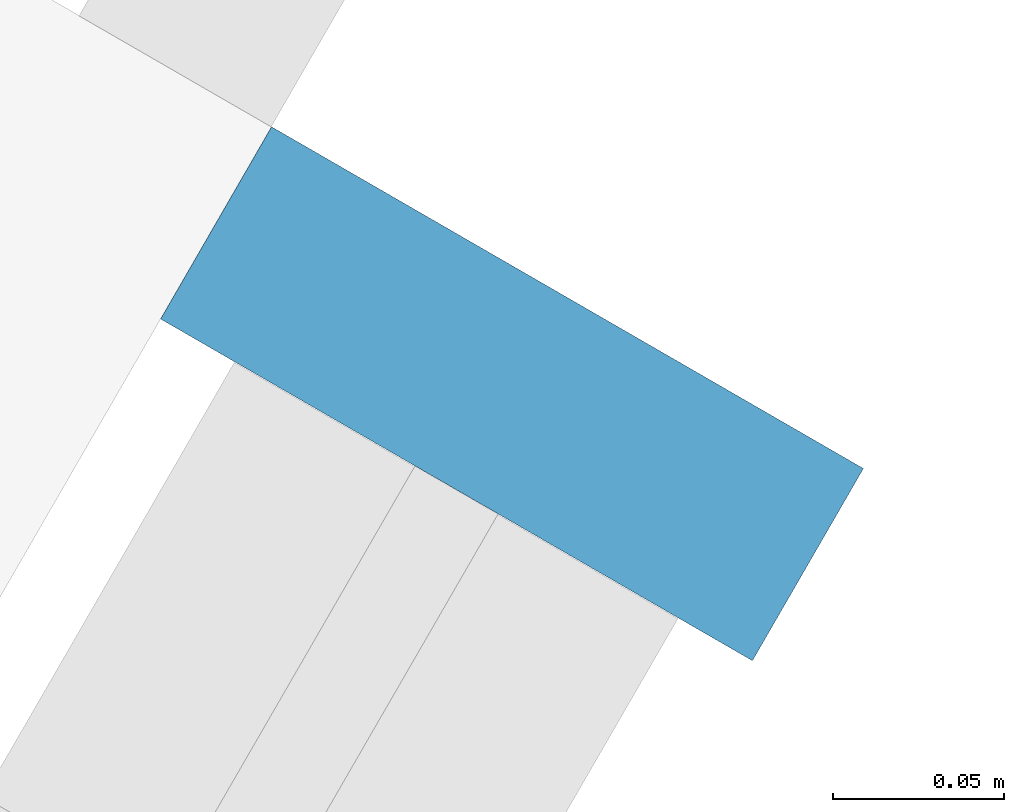
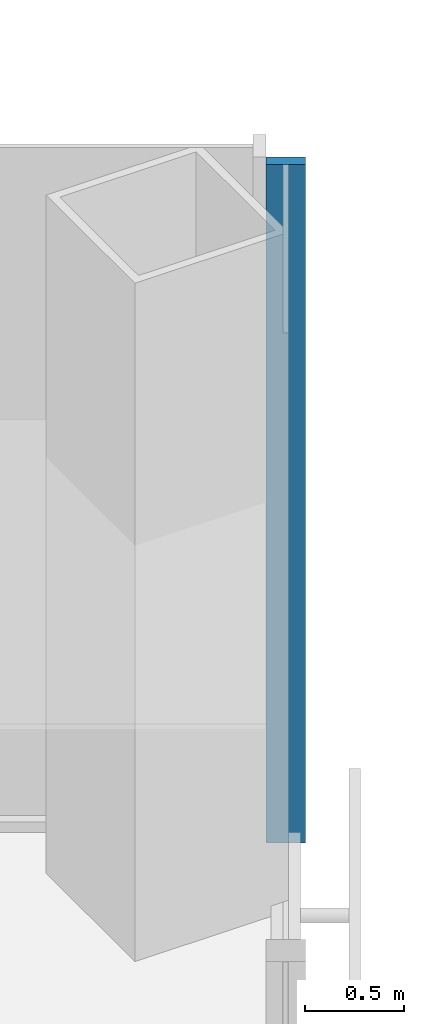
# One storey, part 8 of 17: 1 member, 1 element without a shape of its own.
"""IFC4 building model written with IfcOpenShell, lengths in metres."""

from ifc_helpers import new_model, si_unit, direction, frame, origin, origin_2d, place, context, subcontext, project, spatial, rectangle, extrude, material, material_profile, profile_set, type_object, element, aggregate, save


model = new_model("IFC4")

# Units and contexts
model_context = context("Model", 3, precision=1e-05, world=origin(), true_north=direction((0.0, 1.0)))
body_context = subcontext(model_context, "Body", "Model", "MODEL_VIEW")
ifc_project = project(units=[si_unit("LENGTHUNIT", "METRE"), si_unit("AREAUNIT", "SQUARE_METRE"), si_unit("VOLUMEUNIT", "CUBIC_METRE"), si_unit("PLANEANGLEUNIT", "RADIAN"), si_unit("MASSUNIT", "GRAM", prefix="KILO")], contexts=[model_context])

# Site, building, storey
site_placement = place(None, origin())
site = spatial("IfcSite", under=ifc_project, at=site_placement, CompositionType="ELEMENT")
building_placement = place(site_placement, origin())
building = spatial("IfcBuilding", under=site, at=building_placement, Name="Kasaneha Research Tower", CompositionType="ELEMENT")
storey_placement = place(building_placement, frame((0.0, 0.0, 47.800048828125)))
storey = spatial("IfcBuildingStorey", under=building, at=storey_placement, Name="L12", CompositionType="ELEMENT", Elevation=47.800048828125)

# Curtain wall, member
ifc_material_1 = material(Name="Glass and aluminium", Category="aluminium")
curtain_wall_type = type_object("IfcCurtainWallType", Name="Dry laboratory curtain wall", PredefinedType="USERDEFINED", material=ifc_material_1)
curtain_wall_placement = place(storey_placement, origin())
curtain_wall = element("IfcCurtainWall", 1, at=curtain_wall_placement, inside=storey, type_object=curtain_wall_type, Name="CW-L2 L12 run 05a", ObjectType="UNITISED CURTAIN WALL", PredefinedType="USERDEFINED")
ifc_material_2 = material(Name="Aluminium 6063-T6", Category="aluminium")
ifc_material_profile = material_profile(ifc_material_2, rectangle(XDim=0.06494140625, YDim=0.199951171875, at=origin_2d()), Name="CW-L2 mullion 65x200")
ifc_profile_set = profile_set([ifc_material_profile], Name="Aluminium 6063-T6")
member_type = type_object("IfcMemberType", Name="CW-L2 mullion", PredefinedType="MULLION", material=ifc_profile_set)
member_placement = place(storey_placement, frame((32.01171875, -6.39501953125, 0.0), z_axis=(0.0, 0.0, 1.0), x_axis=(0.500000011442, 0.866025397178, 0.0)))
member = element("IfcMember", 2, at=member_placement, type_object=member_type, Name="CW-L2 mullion 4", PredefinedType="MULLION", context=body_context, shape_type="SweptSolid", body=[
    extrude(rectangle(XDim=0.06494140625, YDim=0.199951171875, at=origin_2d()), origin(), (0.0, 0.0, 1.0), 4.199951171875),
])
aggregate(curtain_wall, [member])

save(model, "model.ifc")
